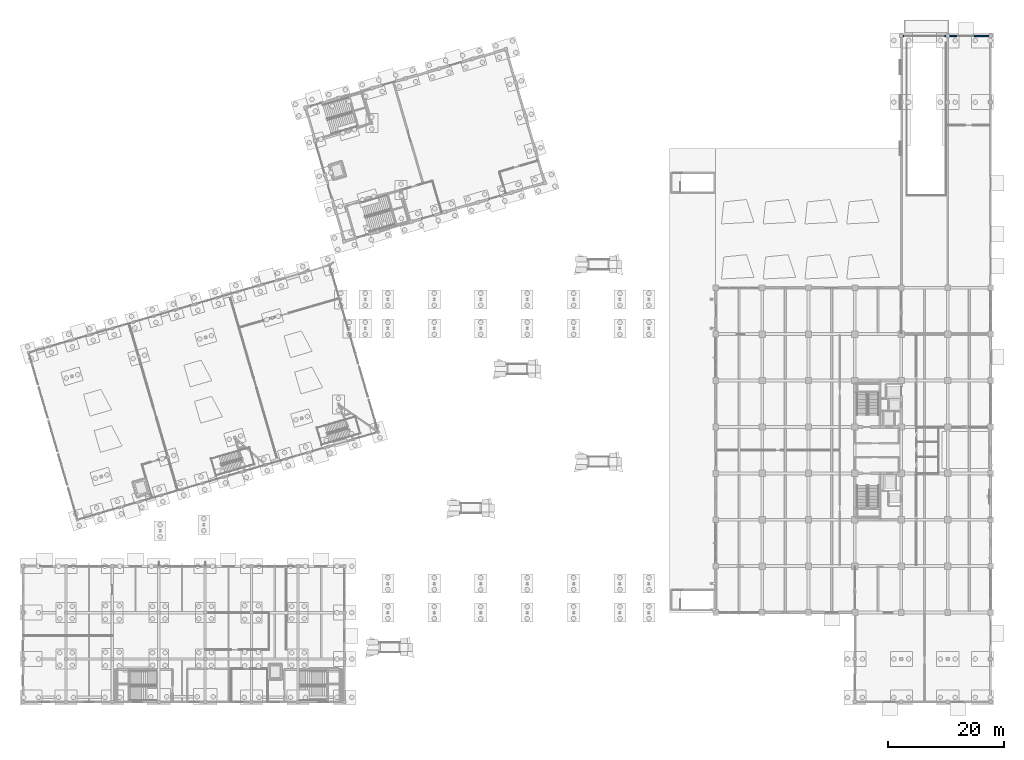
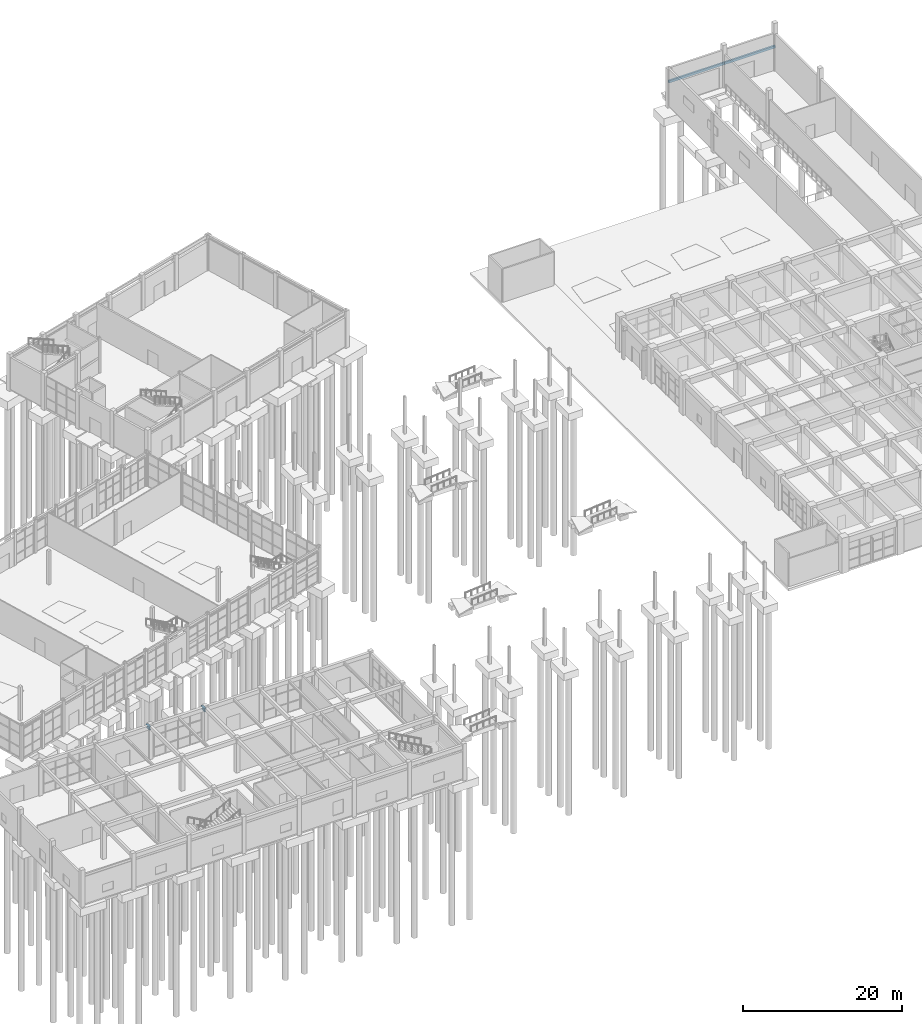
# One storey, part 59 of 90: 4 beams.
"""IFC4 building model written with IfcOpenShell, lengths in metres."""

from ifc_helpers import new_model, si_unit, direction, frame, origin, origin_2d, place, context, subcontext, project, spatial, rectangle, i_section, extrude, material, material_profile, profile_set, type_object, element, save


model = new_model("IFC4")

# Units and contexts
model_context = context("Model", 3, precision=1e-05, world=origin(), true_north=direction((0.0, 1.0)))
body_context = subcontext(model_context, "Body", "Model", "MODEL_VIEW")
ifc_project = project(units=[si_unit("LENGTHUNIT", "METRE"), si_unit("AREAUNIT", "SQUARE_METRE"), si_unit("VOLUMEUNIT", "CUBIC_METRE"), si_unit("PLANEANGLEUNIT", "RADIAN"), si_unit("MASSUNIT", "GRAM", prefix="KILO")], contexts=[model_context])

# Site, building, storey
site_placement = place(None, origin())
site = spatial("IfcSite", under=ifc_project, at=site_placement, CompositionType="ELEMENT")
building_placement = place(site_placement, origin())
building = spatial("IfcBuilding", under=site, at=building_placement, Name="Canggui Botanical Conservatory", CompositionType="ELEMENT")
storey_placement = place(building_placement, origin())
storey = spatial("IfcBuildingStorey", under=building, at=storey_placement, Name="L01", CompositionType="ELEMENT", Elevation=0.0)

# Beams
ifc_material_1 = material(Name="Steel Q355B", Category="steel")
ifc_material_profile_1 = material_profile(ifc_material_1, i_section(OverallWidth=0.300048828125, OverallDepth=0.5, WebThickness=0.010986328125, FlangeThickness=0.01806640625, FilletRadius=0.02392578125, at=origin_2d()), Name="HM 500x300x11x18")
ifc_profile_set_1 = profile_set([ifc_material_profile_1], Name="Steel Q355B")
beam_type_1 = type_object("IfcBeamType", Name="BM-GL01", PredefinedType="BEAM", material=ifc_profile_set_1)
for number, where, z_axis, x_axis, name in (
    (1, (34.0, 34.0, 4.56005859375), (0.0, 1.0, 0.0), (-1.0, 0.0, 0.0), "SB-02 Seismic-Joint Structural Bearing Corbel Seat 1"),
    (2, (42.0, 34.0, 4.56005859375), (0.0, 1.0, 0.0), (-1.0, 0.0, 0.0), "SB-02 Seismic-Joint Structural Bearing Corbel Seat 2"),
):
    element("IfcBeam", number, at=place(storey_placement, frame(where, z_axis=z_axis, x_axis=x_axis)), inside=storey, type_object=beam_type_1, Name=name, PredefinedType="BEAM", context=body_context, shape_type="SweptSolid", body=[
        extrude(i_section(OverallWidth=0.300048828125, OverallDepth=0.5, WebThickness=0.010986328125, FlangeThickness=0.01806640625, FilletRadius=0.02392578125, at=origin_2d()), origin(), (0.0, 0.0, 1.0), 0.800048828125),
    ])
ifc_material_2 = material(Name="Concrete C35", Category="concrete")
ifc_material_profile_2 = material_profile(ifc_material_2, rectangle(XDim=0.239990234375, YDim=0.360107421875, at=origin_2d()), Name="RB 240x360")
ifc_profile_set_2 = profile_set([ifc_material_profile_2], Name="Concrete C35")
beam_type_2 = type_object("IfcBeamType", Name="BM-LIN01", PredefinedType="LINTEL", material=ifc_profile_set_2)
beam_1_placement = place(storey_placement, frame((162.0, 125.39990234375, 3.550048828125), z_axis=(1.0, 0.0, 0.0), x_axis=(0.0, 1.0, 0.0)))
element("IfcBeam", 3, at=beam_1_placement, inside=storey, type_object=beam_type_2, Name="Colonnade Portal Lintel QL-11", PredefinedType="LINTEL", context=body_context, shape_type="SweptSolid", body=[
    extrude(rectangle(XDim=0.239990234375, YDim=0.360107421875, at=origin_2d()), origin(), (0.0, 0.0, 1.0), 8.0),
])
beam_2_placement = place(storey_placement, frame((170.0, 125.39990234375, 3.550048828125), z_axis=(1.0, 0.0, 0.0), x_axis=(0.0, 1.0, 0.0)))
element("IfcBeam", 4, at=beam_2_placement, inside=storey, type_object=beam_type_2, Name="Colonnade Portal Lintel QL-12", PredefinedType="LINTEL", context=body_context, shape_type="SweptSolid", body=[
    extrude(rectangle(XDim=0.239990234375, YDim=0.360107421875, at=origin_2d()), origin(), (0.0, 0.0, 1.0), 7.39990234375),
])

save(model, "model.ifc")
